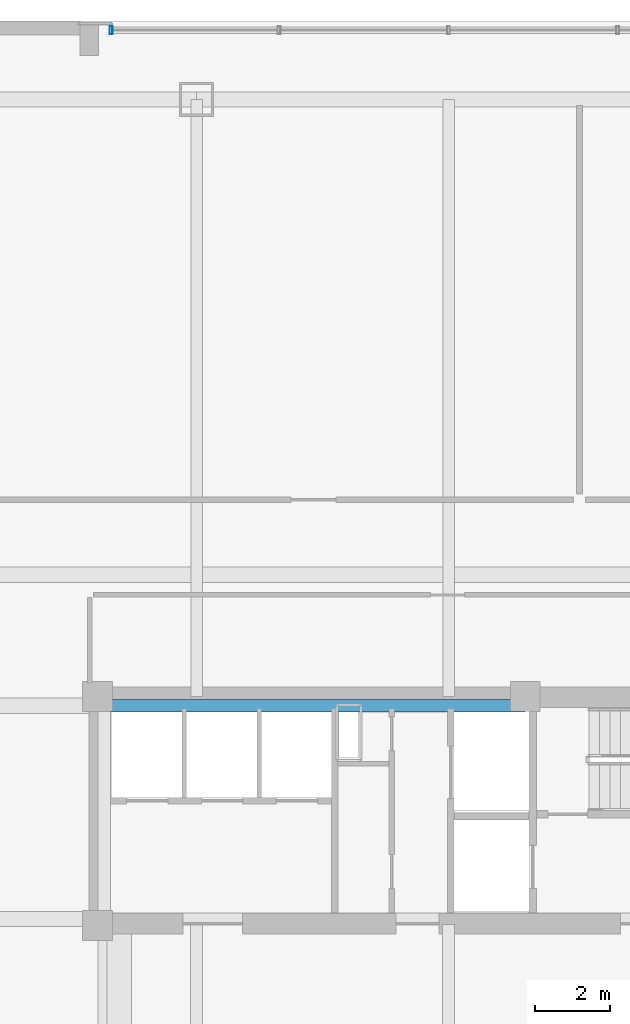
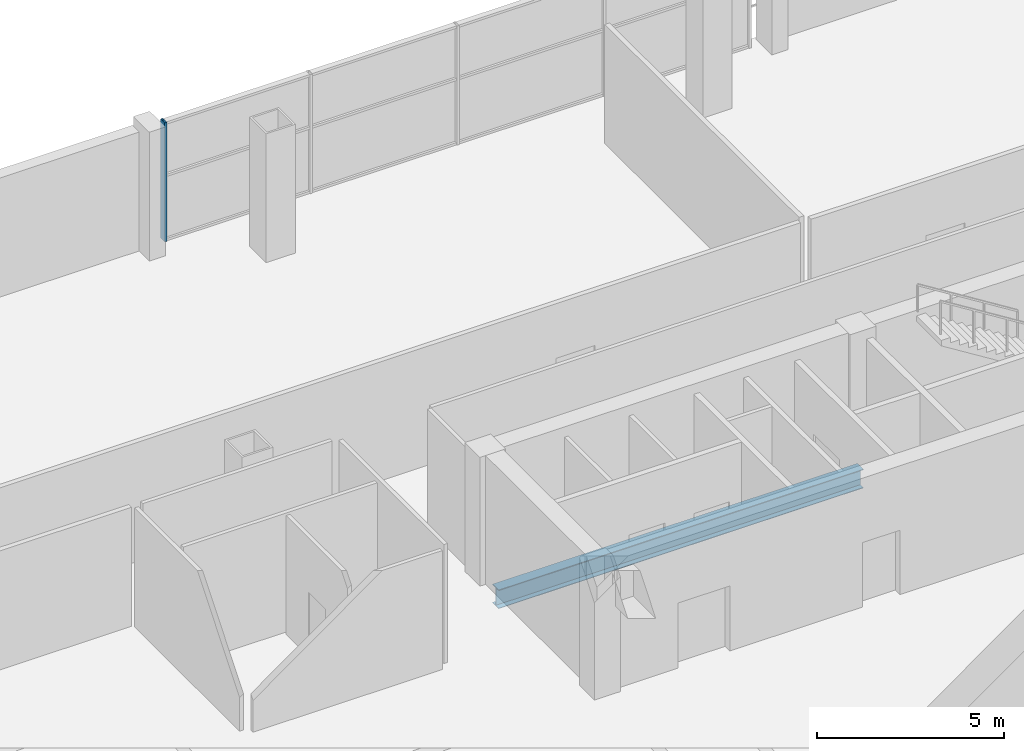
# One storey, part 8 of 21: 1 beam, 1 member, 1 element without a shape of its own.
"""IFC4 building model written with IfcOpenShell, lengths in metres."""

from ifc_helpers import new_model, si_unit, direction, frame, origin, origin_2d, place, context, subcontext, project, spatial, hollow_rectangle, i_section, extrude, material, layer, layer_set, material_profile, profile_set, type_object, element, aggregate, save


model = new_model("IFC4")

# Units and contexts
model_context = context("Model", 3, precision=1e-05, world=origin(), true_north=direction((0.0, 1.0)))
body_context = subcontext(model_context, "Body", "Model", "MODEL_VIEW")
ifc_project = project(units=[si_unit("LENGTHUNIT", "METRE"), si_unit("AREAUNIT", "SQUARE_METRE"), si_unit("VOLUMEUNIT", "CUBIC_METRE"), si_unit("PLANEANGLEUNIT", "RADIAN"), si_unit("MASSUNIT", "GRAM", prefix="KILO")], contexts=[model_context])

# Site, building, storey
site_placement = place(None, origin())
site = spatial("IfcSite", under=ifc_project, at=site_placement, CompositionType="ELEMENT")
building_placement = place(site_placement, origin())
building = spatial("IfcBuilding", under=site, at=building_placement, Name="Qhalaya Broadcast Tower", CompositionType="ELEMENT")
storey_placement = place(building_placement, frame((0.0, 0.0, 9.300048828125)))
storey = spatial("IfcBuildingStorey", under=building, at=storey_placement, Name="L02", CompositionType="ELEMENT", Elevation=9.300048828125)

# Beam
ifc_material_1 = material(Name="Structural Steel ASTM A992 Grade 50", Category="steel")
ifc_material_profile_1 = material_profile(ifc_material_1, i_section(OverallWidth=0.323974609375, OverallDepth=0.612060546875, WebThickness=0.0126953125, FlangeThickness=0.01904296875, at=origin_2d()), Name="W24X104")
ifc_profile_set_1 = profile_set([ifc_material_profile_1], Name="Structural Steel ASTM A992 Grade 50")
beam_type = type_object("IfcBeamType", Name="Core Frame Tie Beam B04", PredefinedType="BEAM", material=ifc_profile_set_1)
beam_placement = place(storey_placement, frame((-9.199951171875, 9.699951171875, -0.6259765625), z_axis=(1.0, 0.0, 0.0), x_axis=(0.0, 1.0, 0.0)))
element("IfcBeam", 1, at=beam_placement, inside=storey, type_object=beam_type, Name="L02 B04 L02-CCN3", PredefinedType="BEAM", context=body_context, shape_type="SweptSolid", body=[
    extrude(i_section(OverallWidth=0.323974609375, OverallDepth=0.612060546875, WebThickness=0.0126953125, FlangeThickness=0.01904296875, at=origin_2d()), origin(), (0.0, 0.0, 1.0), 11.25),
])

# Curtain wall, member
ifc_material_2 = material(Name="Solar-Control Low-E Triple Glazing", Category="glass")
ifc_layer = layer(ifc_material_2, 0.219970703125, Name="Solar-Control Low-E Triple Glazing")
ifc_layer_set = layer_set([ifc_layer], Name="Solar-Control Low-E Triple Glazing")
curtain_wall_type = type_object("IfcCurtainWallType", Name="Podium Concourse Triple-Height Glazed Portal CW-01", PredefinedType="NOTDEFINED", material=ifc_layer_set)
curtain_wall_placement = place(storey_placement, origin())
curtain_wall = element("IfcCurtainWall", 2, at=curtain_wall_placement, inside=storey, type_object=curtain_wall_type, Name="L02 Unitised Curtain Wall L02-CW01-N", PredefinedType="NOTDEFINED")
ifc_material_3 = material(Name="Anodised Aluminium 6063-T6", Category="aluminium")
ifc_material_profile_2 = material_profile(ifc_material_3, hollow_rectangle(XDim=0.074951171875, YDim=0.219970703125, WallThickness=0.00390625, at=origin_2d()), Name="ALU-MUL 75x220x4")
ifc_profile_set_2 = profile_set([ifc_material_profile_2], Name="Anodised Aluminium 6063-T6")
member_type = type_object("IfcMemberType", Name="Unitised Curtain-Wall Mullion M01", PredefinedType="MULLION", material=ifc_profile_set_2)
member_placement = place(storey_placement, frame((-9.012451171875, 27.75, 0.0), z_axis=(0.0, 0.0, 1.0), x_axis=(-1.0, 0.0, 0.0)))
member = element("IfcMember", 3, at=member_placement, type_object=member_type, Name="CW-01 mullion 5", PredefinedType="MULLION", context=body_context, shape_type="SweptSolid", body=[
    extrude(hollow_rectangle(XDim=0.074951171875, YDim=0.219970703125, WallThickness=0.00390625, at=origin_2d()), origin(), (0.0, 0.0, 1.0), 3.8798828125),
])
aggregate(curtain_wall, [member])

save(model, "model.ifc")
